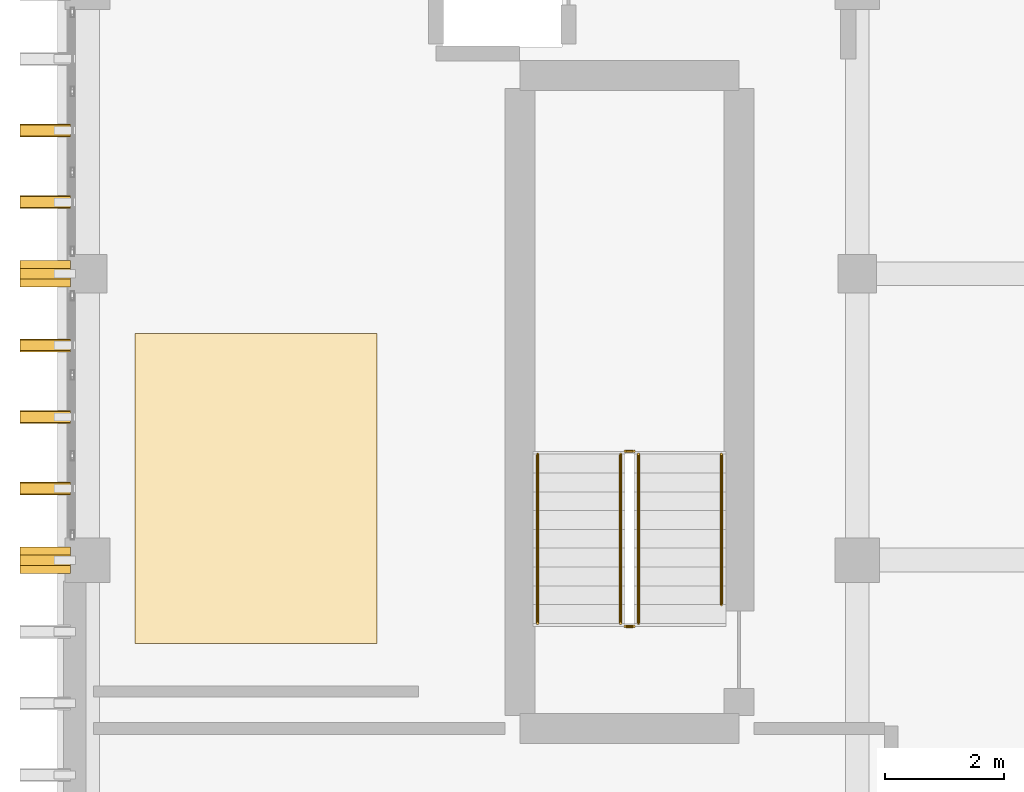
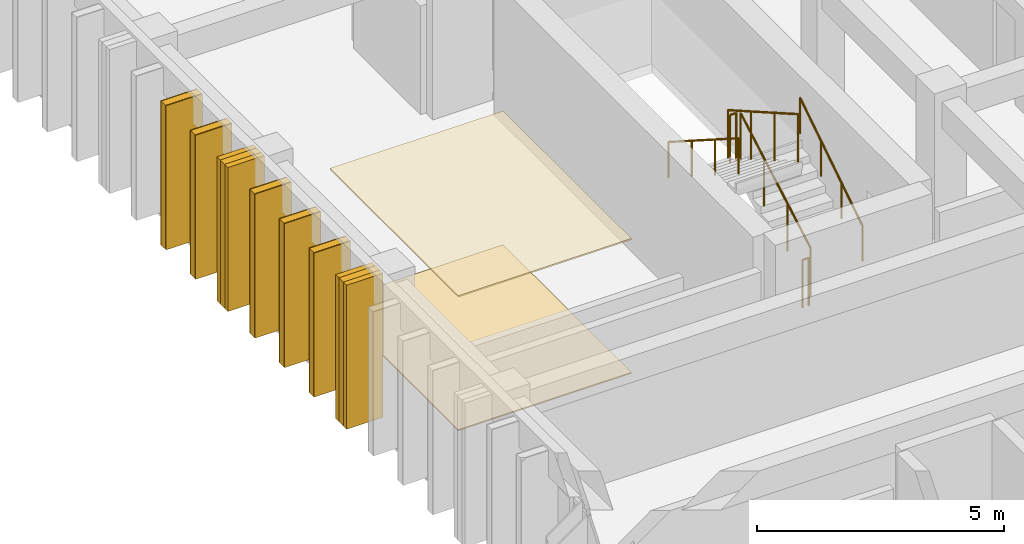
# One storey, part 63 of 64: 9 coverings, 7 shading devices, 6 railings.
"""IFC4 building model written with IfcOpenShell, lengths in metres."""

import ifcopenshell
import ifcopenshell.guid

model = None  # the IFC model being written
_history = None  # IfcOwnerHistory: only IFC2X3 demands one
_inside = {}  # id of a spatial element -> (the spatial element, [elements in it])
_under = {}  # id of a project, library or spatial element -> (it, [spatial elements below it])
_declared = {}  # id of a project -> (the project, [libraries it declares])
_typed = {}  # id of a type object -> (the type object, [elements of that type])
_made_of = {}  # id of a material, layer set ... -> (it, [elements and type objects made of it])


def new_model(schema):
    """Start an empty IFC model of exactly this schema.

    Asked for "IFC4X3", IfcOpenShell would pick the latest addendum, in which some entities
    have other attributes; the version numbers below select the first issue.
    IFC2X3 requires an IfcOwnerHistory on every rooted entity: one is made here for all.
    """
    global model, _history
    if schema == "IFC4X3":
        model = ifcopenshell.file(schema_version=(4, 3, 0, 0))
    else:
        model = ifcopenshell.file(schema=schema)
    _inside.clear()
    _under.clear()
    _declared.clear()
    _typed.clear()
    _made_of.clear()
    _history = None
    if model.schema == "IFC2X3":
        org = make("IfcOrganization", Name="unknown")
        user = make(
            "IfcPersonAndOrganization",
            ThePerson=make("IfcPerson", FamilyName="unknown"),
            TheOrganization=org,
        )
        app = make(
            "IfcApplication",
            ApplicationDeveloper=org,
            Version="unknown",
            ApplicationFullName="unknown",
            ApplicationIdentifier="unknown",
        )
        _history = make(
            "IfcOwnerHistory",
            OwningUser=user,
            OwningApplication=app,
            ChangeAction="ADDED",
            CreationDate=0,
        )
    return model


def make(cls, **values):
    """One entity of the class cls with the attributes given. An attribute that is None is left unset."""
    return model.create_entity(
        cls, **{name: value for name, value in values.items() if value is not None}
    )


def rooted(cls, **values):
    """An entity with a GlobalId (a new one), such as an element, a storey or a relation."""
    return make(cls, GlobalId=ifcopenshell.guid.new(), OwnerHistory=_history, **values)


def si_unit(unit_type, name, prefix=None):
    """IfcSIUnit, for example si_unit("LENGTHUNIT", "METRE", prefix="MILLI")."""
    return make("IfcSIUnit", UnitType=unit_type, Prefix=prefix, Name=name)


def assignment(units):
    """IfcUnitAssignment: the units of a project."""
    return None if units is None else make("IfcUnitAssignment", Units=units)


def point(xyz):
    """IfcCartesianPoint."""
    return None if xyz is None else make("IfcCartesianPoint", Coordinates=xyz)


def direction(xyz):
    """IfcDirection."""
    return None if xyz is None else make("IfcDirection", DirectionRatios=xyz)


def frame(location, z_axis=None, x_axis=None):
    """IfcAxis2Placement3D, a coordinate frame: its origin and axes. An axis left out is left unset."""
    return make(
        "IfcAxis2Placement3D",
        Location=point(location),
        Axis=direction(z_axis),
        RefDirection=direction(x_axis),
    )


def frame_2d(location, x_axis=None):
    """IfcAxis2Placement2D, a coordinate frame in the plane: its origin and x axis."""
    return make(
        "IfcAxis2Placement2D", Location=point(location), RefDirection=direction(x_axis)
    )


def origin():
    """The frame at (0, 0, 0) with its axes left unset."""
    return frame((0.0, 0.0, 0.0))


def origin_2d():
    """The frame at (0, 0) in the plane with its x axis left unset."""
    return frame_2d((0.0, 0.0))


def place(relative_to, where):
    """IfcLocalPlacement: puts the frame where relative to a parent placement (None: the world)."""
    return make(
        "IfcLocalPlacement", PlacementRelTo=relative_to, RelativePlacement=where
    )


def context(
    kind, dimensions, precision=None, world=None, true_north=None, identifier=None
):
    """IfcGeometricRepresentationContext, for example the 3D "Model" context."""
    return make(
        "IfcGeometricRepresentationContext",
        ContextIdentifier=identifier,
        ContextType=kind,
        CoordinateSpaceDimension=dimensions,
        Precision=precision,
        WorldCoordinateSystem=world,
        TrueNorth=true_north,
    )


def subcontext(parent, identifier, kind, view, scale=None):
    """IfcGeometricRepresentationSubContext, for example "Body" below "Model"."""
    return make(
        "IfcGeometricRepresentationSubContext",
        ContextIdentifier=identifier,
        ContextType=kind,
        ParentContext=parent,
        TargetScale=scale,
        TargetView=view,
    )


def project(units=None, contexts=None):
    """IfcProject with its units and contexts."""
    return rooted(
        "IfcProject",
        Name="project",
        RepresentationContexts=contexts,
        UnitsInContext=assignment(units),
    )


def spatial(cls, under=None, at=None, **own):
    """A site, building, storey or space (cls), placed at a placement, below another one or the project."""
    s = rooted(cls, ObjectPlacement=at, **own)
    if under is not None:
        _under.setdefault(under.id(), (under, []))[1].append(s)
    return s


def polyline(points):
    """IfcPolyline through the points."""
    return make("IfcPolyline", Points=[point(p) for p in points])


def profile(cls, at=None, kind="AREA", **sizes):
    """A parametric profile (cls). Its sizes go by their IFC names, for example OverallWidth=200.0."""
    return make(cls, ProfileType=kind, Position=at, **sizes)


def rectangle(**sizes):
    """IfcRectangleProfileDef."""
    return profile("IfcRectangleProfileDef", **sizes)


def circle(**sizes):
    """IfcCircleProfileDef."""
    return profile("IfcCircleProfileDef", **sizes)


def outline(outer, holes=None, kind="AREA"):
    """IfcArbitraryClosedProfileDef: a profile drawn as a closed curve; with holes, ...WithVoids."""
    if holes is None:
        return make("IfcArbitraryClosedProfileDef", ProfileType=kind, OuterCurve=outer)
    return make(
        "IfcArbitraryProfileDefWithVoids",
        ProfileType=kind,
        OuterCurve=outer,
        InnerCurves=holes,
    )


def extrude(swept, where, along, depth):
    """IfcExtrudedAreaSolid: the profile swept, set in the frame where, extruded along a direction by depth."""
    return make(
        "IfcExtrudedAreaSolid",
        SweptArea=swept,
        Position=where,
        ExtrudedDirection=direction(along),
        Depth=depth,
    )


def shape(context_of_items, identifier, shape_type, items):
    """IfcShapeRepresentation: the items that make up one representation, for example the "Body"."""
    return make(
        "IfcShapeRepresentation",
        ContextOfItems=context_of_items,
        RepresentationIdentifier=identifier,
        RepresentationType=shape_type,
        Items=items,
    )


def material(Name=None, Category=None):
    """IfcMaterial."""
    return make("IfcMaterial", Name=Name, Category=Category)


def layer(
    of_material, thickness, ventilated=None, Name=None, Category=None, Priority=None
):
    """IfcMaterialLayer: one layer of a wall or slab, of a material (None: an air gap)."""
    return make(
        "IfcMaterialLayer",
        Material=of_material,
        LayerThickness=thickness,
        IsVentilated=ventilated,
        Name=Name,
        Category=Category,
        Priority=Priority,
    )


def layer_set(layers, Name=None):
    """IfcMaterialLayerSet."""
    return make("IfcMaterialLayerSet", MaterialLayers=layers, LayerSetName=Name)


def made_of(thing, what):
    """Note that an element or type object is made of a material, layer set ...; save() writes the relation."""
    if what is not None:
        _made_of.setdefault(what.id(), (what, []))[1].append(thing)
    return thing


def type_object(cls, material=None, **own):
    """A type object (cls), such as IfcWallType, which elements share."""
    return made_of(rooted(cls, **own), material)


def element(
    cls,
    number,
    at=None,
    inside=None,
    cuts=None,
    type_object=None,
    material=None,
    context=None,
    identifier="Body",
    shape_type=None,
    held_by="IfcProductDefinitionShape",
    body=None,
    shapes=None,
    **own,
):
    """One element of the class cls, such as IfcWall. Its Tag is "e" and its number.

    at: its placement. inside: the storey or other place that contains it. cuts: it is an
    opening in that element (IfcRelVoidsElement). A single representation is given by context,
    identifier, shape_type and body (its items); several are given by shapes. held_by: the class
    of the entity that holds the representations. save() writes the other relations.
    """
    e = rooted(cls, Tag="e%d" % number, ObjectPlacement=at, **own)
    if body is not None:
        shapes = [shape(context, identifier, shape_type, body)]
    if shapes is not None:
        e.Representation = make(held_by, Representations=shapes)
    if inside is not None:
        _inside.setdefault(inside.id(), (inside, []))[1].append(e)
    if cuts is not None:
        rooted(
            "IfcRelVoidsElement", RelatingBuildingElement=cuts, RelatedOpeningElement=e
        )
    if type_object is not None:
        _typed.setdefault(type_object.id(), (type_object, []))[1].append(e)
    return made_of(e, material)


def aggregate(whole, parts):
    """IfcRelAggregates: a whole, such as a stair, and the parts it consists of."""
    return rooted("IfcRelAggregates", RelatingObject=whole, RelatedObjects=parts)


def save(model, path):
    """Write the relations noted so far, then the file.

    IfcRelAggregates (storeys below a building ...), IfcRelContainedInSpatialStructure (elements
    in a storey), IfcRelDefinesByType, IfcRelAssociatesMaterial and IfcRelDeclares: one each for
    every whole, place, type object, material and project.
    """
    for whole, parts in _under.values():
        aggregate(whole, parts)
    for where, things in _inside.values():
        rooted(
            "IfcRelContainedInSpatialStructure",
            RelatedElements=things,
            RelatingStructure=where,
        )
    for kind, things in _typed.values():
        rooted("IfcRelDefinesByType", RelatedObjects=things, RelatingType=kind)
    for what, things in _made_of.values():
        rooted("IfcRelAssociatesMaterial", RelatedObjects=things, RelatingMaterial=what)
    for by, libraries in _declared.values():
        rooted("IfcRelDeclares", RelatingContext=by, RelatedDefinitions=libraries)
    model.write(path)


model = new_model("IFC4")

# Units and contexts
model_context = context("Model", 3, precision=1e-05, world=origin(), true_north=direction((0.0, 1.0)))
body_context = subcontext(model_context, "Body", "Model", "MODEL_VIEW")
ifc_project = project(units=[si_unit("LENGTHUNIT", "METRE"), si_unit("AREAUNIT", "SQUARE_METRE"), si_unit("VOLUMEUNIT", "CUBIC_METRE"), si_unit("PLANEANGLEUNIT", "RADIAN"), si_unit("MASSUNIT", "GRAM", prefix="KILO")], contexts=[model_context])

# Site, building, storey
site_placement = place(None, origin())
site = spatial("IfcSite", under=ifc_project, at=site_placement, CompositionType="ELEMENT")
building_placement = place(site_placement, origin())
building = spatial("IfcBuilding", under=site, at=building_placement, Name="Nakhvara Creek Congress Hotel", CompositionType="ELEMENT")
storey_placement = place(building_placement, frame((0.0, 0.0, 28.199951171875)))
storey = spatial("IfcBuildingStorey", under=building, at=storey_placement, Name="L06", CompositionType="ELEMENT", Elevation=28.199951171875)

# Coverings
ifc_material_1 = material(Name="Acoustic mineral-fibre and gypsum ceiling board")
ifc_layer_1 = layer(ifc_material_1, 0.0400390625)
ifc_layer_set_1 = layer_set([ifc_layer_1], Name="Acoustic mineral-fibre and gypsum ceiling board")
covering_type_1 = type_object("IfcCoveringType", Name="COV-CEIL-AC", PredefinedType="CEILING", material=ifc_layer_set_1)
covering_1_placement = place(storey_placement, frame((0.0, 0.0, 3.304931640625)))
element("IfcCovering", 1, at=covering_1_placement, inside=storey, type_object=covering_type_1, Name="Acoustic Ceiling L06-WSV-02", PredefinedType="CEILING", context=body_context, shape_type="SweptSolid", body=[
    extrude(outline(polyline([(150.25, 104.199951171875), (154.300048828125, 104.199951171875), (154.300048828125, 109.39990234375), (150.25, 109.39990234375), (150.25, 104.199951171875)])), origin(), (0.0, 0.0, 1.0), 0.03515625),
])
ifc_material_2 = material(Name="Honed pale Omani limestone architectural cladding", Category="masonry")
ifc_layer_2 = layer(ifc_material_2, 0.219970703125)
ifc_layer_set_2 = layer_set([ifc_layer_2], Name="Honed pale Omani limestone architectural cladding")
covering_type_2 = type_object("IfcCoveringType", Name="COV-FIN-850", PredefinedType="CLADDING", material=ifc_layer_set_2)
covering_2_placement = place(storey_placement, frame((148.7451171875, 105.60009765625, 0.0), z_axis=(0.0, 0.0, 1.0), x_axis=(0.0, 1.0, 0.0)))
element("IfcCovering", 2, at=covering_2_placement, inside=storey, type_object=covering_type_2, Name="Pale Limestone Fin Cladding CF01-1727", PredefinedType="CLADDING", context=body_context, shape_type="SweptSolid", body=[
    extrude(rectangle(XDim=0.43994140625, YDim=0.85009765625, at=origin_2d()), origin(), (0.0, 0.0, 1.0), 3.56005859375),
])
for number, where, z_axis, x_axis, name in (
    (3, (148.7451171875, 106.800048828125, 0.0), (0.0, 0.0, 1.0), (0.0, 1.0, 0.0), "Pale Limestone Fin Cladding CF01-1729"),
    (4, (148.7451171875, 108.0, 0.0), (0.0, 0.0, 1.0), (0.0, 1.0, 0.0), "Pale Limestone Fin Cladding CF01-1730"),
    (5, (148.7451171875, 109.199951171875, 0.0), (0.0, 0.0, 1.0), (0.0, 1.0, 0.0), "Pale Limestone Fin Cladding CF01-1732"),
):
    element("IfcCovering", number, at=place(storey_placement, frame(where, z_axis=z_axis, x_axis=x_axis)), inside=storey, type_object=covering_type_2, Name=name, PredefinedType="CLADDING", context=body_context, shape_type="SweptSolid", body=[
        extrude(rectangle(XDim=0.219970703125, YDim=0.85009765625, at=origin_2d()), origin(), (0.0, 0.0, 1.0), 3.56005859375),
    ])
covering_3_placement = place(storey_placement, frame((148.7451171875, 110.39990234375, 0.0), z_axis=(0.0, 0.0, 1.0), x_axis=(0.0, 1.0, 0.0)))
element("IfcCovering", 6, at=covering_3_placement, inside=storey, type_object=covering_type_2, Name="Pale Limestone Fin Cladding CF01-1734", PredefinedType="CLADDING", context=body_context, shape_type="SweptSolid", body=[
    extrude(rectangle(XDim=0.43994140625, YDim=0.85009765625, at=origin_2d()), origin(), (0.0, 0.0, 1.0), 3.56005859375),
])
for number, where, z_axis, x_axis, name in (
    (7, (148.7451171875, 111.60009765625, 0.0), (0.0, 0.0, 1.0), (0.0, 1.0, 0.0), "Pale Limestone Fin Cladding CF01-1736"),
    (8, (148.7451171875, 112.800048828125, 0.0), (0.0, 0.0, 1.0), (0.0, 1.0, 0.0), "Pale Limestone Fin Cladding CF01-1738"),
):
    element("IfcCovering", number, at=place(storey_placement, frame(where, z_axis=z_axis, x_axis=x_axis)), inside=storey, type_object=covering_type_2, Name=name, PredefinedType="CLADDING", context=body_context, shape_type="SweptSolid", body=[
        extrude(rectangle(XDim=0.219970703125, YDim=0.85009765625, at=origin_2d()), origin(), (0.0, 0.0, 1.0), 3.56005859375),
    ])
ifc_material_3 = material(Name="Honed limestone and terrazzo acoustic floor finish", Category="masonry")
ifc_layer_3 = layer(ifc_material_3, 0.044921875)
ifc_layer_set_3 = layer_set([ifc_layer_3], Name="Honed limestone and terrazzo acoustic floor finish")
covering_type_3 = type_object("IfcCoveringType", Name="COV-FLR-TER", PredefinedType="FLOORING", material=ifc_layer_set_3)
covering_4_placement = place(storey_placement, origin())
element("IfcCovering", 9, at=covering_4_placement, inside=storey, type_object=covering_type_3, Name="Floor Finish L06-WSV-02", PredefinedType="FLOORING", context=body_context, shape_type="SweptSolid", body=[
    extrude(outline(polyline([(150.25, 104.199951171875), (154.300048828125, 104.199951171875), (154.300048828125, 109.39990234375), (150.25, 109.39990234375), (150.25, 104.199951171875)])), origin(), (0.0, 0.0, 1.0), 0.030029296875),
])

# Railings
ifc_material_4 = material(Name="Brushed stainless steel 316L", Category="steel")
railing_type_1 = type_object("IfcRailingType", Name="RL-GUARD-1200", PredefinedType="GUARDRAIL", material=ifc_material_4)
railing_1_placement = place(storey_placement, frame((158.68505859375, 104.5400390625, 0.179931640625)))
element("IfcRailing", 10, at=railing_1_placement, inside=storey, type_object=railing_type_1, Name="L06 ST02 stair guard 1", PredefinedType="GUARDRAIL", context=body_context, shape_type="SweptSolid", body=[
    extrude(circle(Radius=0.02392578125, at=origin_2d()), frame((0.0, 0.0126953125, 1.18310546875), z_axis=(0.0, 0.868224736699, 0.496171146464), x_axis=(-1.0, 0.0, 0.0)), (0.0, 0.0, 1.0), 3.23583984375),
    extrude(circle(Radius=0.02099609375, at=origin_2d()), origin(), (0.0, 0.0, 1.0), 1.1806640625),
    extrude(circle(Radius=0.02099609375, at=origin_2d()), frame((0.0, 0.945068359375, 0.5400390625)), (0.0, 0.0, 1.0), 1.1806640625),
    extrude(circle(Radius=0.02099609375, at=origin_2d()), frame((0.0, 1.889892578125, 1.080078125)), (0.0, 0.0, 1.0), 1.1806640625),
    extrude(circle(Radius=0.02099609375, at=origin_2d()), frame((0.0, 2.8349609375, 1.6201171875)), (0.0, 0.0, 1.0), 1.1806640625),
])
railing_2_placement = place(storey_placement, frame((158.610107421875, 107.425048828125, 1.800048828125)))
element("IfcRailing", 11, at=railing_2_placement, inside=storey, type_object=railing_type_1, Name="L06 ST02 stair guard 2", PredefinedType="GUARDRAIL", context=body_context, shape_type="SweptSolid", body=[
    extrude(circle(Radius=0.02392578125, at=origin_2d()), frame((-0.0146484375, 0.0, 1.17578125), z_axis=(-1.0, 0.0, 0.0), x_axis=(0.0, -1.0, 0.0)), (0.0, 0.0, 1.0), 0.120849609375),
    extrude(circle(Radius=0.02099609375, at=origin_2d()), origin(), (0.0, 0.0, 1.0), 1.1806640625),
    extrude(circle(Radius=0.02099609375, at=origin_2d()), frame((-0.150146484375, 0.0, 0.0)), (0.0, 0.0, 1.0), 1.1806640625),
])
railing_3_placement = place(storey_placement, frame((158.385009765625, 107.375, 1.97998046875)))
element("IfcRailing", 12, at=railing_3_placement, inside=storey, type_object=railing_type_1, Name="L06 ST02 stair guard 3", PredefinedType="GUARDRAIL", context=body_context, shape_type="SweptSolid", body=[
    extrude(circle(Radius=0.02392578125, at=origin_2d()), frame((0.0, -0.0126953125, 1.18310546875), z_axis=(0.0, -0.868224736699, 0.496171146464), x_axis=(1.0, 0.0, 0.0)), (0.0, 0.0, 1.0), 3.23583984375),
    extrude(circle(Radius=0.02099609375, at=origin_2d()), origin(), (0.0, 0.0, 1.0), 1.1806640625),
    extrude(circle(Radius=0.02099609375, at=origin_2d()), frame((0.0, -0.945068359375, 0.5400390625)), (0.0, 0.0, 1.0), 1.1806640625),
    extrude(circle(Radius=0.02099609375, at=origin_2d()), frame((0.0, -1.889892578125, 1.080078125)), (0.0, 0.0, 1.0), 1.1806640625),
    extrude(circle(Radius=0.02099609375, at=origin_2d()), frame((0.0, -2.8349609375, 1.6201171875)), (0.0, 0.0, 1.0), 1.1806640625),
])
railing_4_placement = place(storey_placement, frame((158.610107421875, 104.489990234375, 0.0)))
element("IfcRailing", 13, at=railing_4_placement, inside=storey, type_object=railing_type_1, Name="L06 ST02 stair guard 4", PredefinedType="GUARDRAIL", context=body_context, shape_type="SweptSolid", body=[
    extrude(circle(Radius=0.02392578125, at=origin_2d()), frame((-0.0146484375, 0.0, 1.17578125), z_axis=(-1.0, 0.0, 0.0), x_axis=(0.0, -1.0, 0.0)), (0.0, 0.0, 1.0), 0.120849609375),
    extrude(circle(Radius=0.02099609375, at=origin_2d()), origin(), (0.0, 0.0, 1.0), 1.1806640625),
    extrude(circle(Radius=0.02099609375, at=origin_2d()), frame((-0.150146484375, 0.0, 0.0)), (0.0, 0.0, 1.0), 1.1806640625),
])
railing_type_2 = type_object("IfcRailingType", Name="RL-HAND-900", PredefinedType="HANDRAIL", material=ifc_material_4)
railing_5_placement = place(storey_placement, frame((160.074951171875, 104.85498046875, 0.360107421875)))
element("IfcRailing", 14, at=railing_5_placement, inside=storey, type_object=railing_type_2, Name="L06 ST02 stair handrail 1", PredefinedType="HANDRAIL", context=body_context, shape_type="SweptSolid", body=[
    extrude(circle(Radius=0.02392578125, at=origin_2d()), frame((0.0, 0.012451171875, 0.8837890625), z_axis=(0.0, 0.839530876525, 0.54331197977), x_axis=(-1.0, 0.0, 0.0)), (0.0, 0.0, 1.0), 2.972412109375),
    extrude(circle(Radius=0.02099609375, at=origin_2d()), origin(), (0.0, 0.0, 1.0), 0.880615234375),
    extrude(circle(Radius=0.02099609375, at=origin_2d()), frame((0.0, 0.840087890625, 0.543701171875)), (0.0, 0.0, 1.0), 0.880615234375),
    extrude(circle(Radius=0.02099609375, at=origin_2d()), frame((0.0, 1.679931640625, 1.087158203125)), (0.0, 0.0, 1.0), 0.880615234375),
    extrude(circle(Radius=0.02099609375, at=origin_2d()), frame((0.0, 2.52001953125, 1.630859375)), (0.0, 0.0, 1.0), 0.880615234375),
])
railing_6_placement = place(storey_placement, frame((156.9951171875, 107.375, 1.97998046875)))
element("IfcRailing", 15, at=railing_6_placement, inside=storey, type_object=railing_type_2, Name="L06 ST02 stair handrail 2", PredefinedType="HANDRAIL", context=body_context, shape_type="SweptSolid", body=[
    extrude(circle(Radius=0.02392578125, at=origin_2d()), frame((0.0, -0.012451171875, 0.8837890625), z_axis=(0.0, -0.842721868308, 0.538349192138), x_axis=(1.0, 0.0, 0.0)), (0.0, 0.0, 1.0), 3.334716796875),
    extrude(circle(Radius=0.02099609375, at=origin_2d()), origin(), (0.0, 0.0, 1.0), 0.880615234375),
    extrude(circle(Radius=0.02099609375, at=origin_2d()), frame((0.0, -0.945068359375, 0.603759765625)), (0.0, 0.0, 1.0), 0.880615234375),
    extrude(circle(Radius=0.02099609375, at=origin_2d()), frame((0.0, -1.889892578125, 1.207275390625)), (0.0, 0.0, 1.0), 0.880615234375),
    extrude(circle(Radius=0.02099609375, at=origin_2d()), frame((0.0, -2.8349609375, 1.81103515625)), (0.0, 0.0, 1.0), 0.880615234375),
])

# Shading devices
ifc_material_5 = material(Name="Honed pale Omani limestone cladding on stainless steel spine", Category="masonry")
shading_device_type = type_object("IfcShadingDeviceType", Name="SHD-FIN-850X3600", PredefinedType="USERDEFINED", material=ifc_material_5)
for number, where, z_axis, x_axis, name in (
    (16, (148.7451171875, 105.60009765625, 0.0), (0.0, 0.0, 1.0), (0.0, 1.0, 0.0), "Limestone Solar Fin FN01-1592"),
    (17, (148.7451171875, 106.800048828125, 0.0), (0.0, 0.0, 1.0), (0.0, 1.0, 0.0), "Limestone Solar Fin FN01-1594"),
    (18, (148.7451171875, 108.0, 0.0), (0.0, 0.0, 1.0), (0.0, 1.0, 0.0), "Limestone Solar Fin FN01-1595"),
    (19, (148.7451171875, 109.199951171875, 0.0), (0.0, 0.0, 1.0), (0.0, 1.0, 0.0), "Limestone Solar Fin FN01-1597"),
    (20, (148.7451171875, 110.39990234375, 0.0), (0.0, 0.0, 1.0), (0.0, 1.0, 0.0), "Limestone Solar Fin FN01-1599"),
    (21, (148.7451171875, 111.60009765625, 0.0), (0.0, 0.0, 1.0), (0.0, 1.0, 0.0), "Limestone Solar Fin FN01-1601"),
    (22, (148.7451171875, 112.800048828125, 0.0), (0.0, 0.0, 1.0), (0.0, 1.0, 0.0), "Limestone Solar Fin FN01-1603"),
):
    element("IfcShadingDevice", number, at=place(storey_placement, frame(where, z_axis=z_axis, x_axis=x_axis)), inside=storey, type_object=shading_device_type, Name=name, ObjectType="FIN", PredefinedType="USERDEFINED", context=body_context, shape_type="SweptSolid", body=[
        extrude(rectangle(XDim=0.179931640625, YDim=0.85009765625, at=origin_2d()), origin(), (0.0, 0.0, 1.0), 3.56005859375),
    ])

save(model, "model.ifc")
